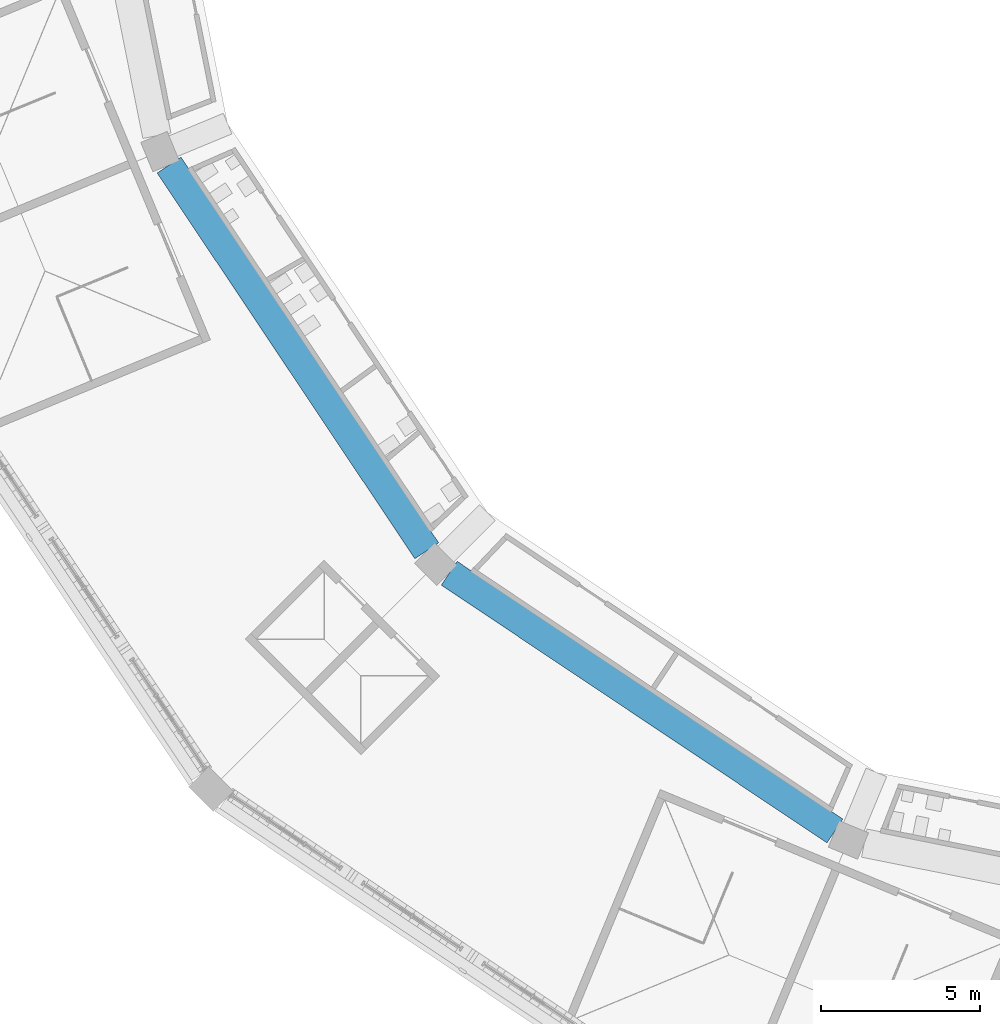
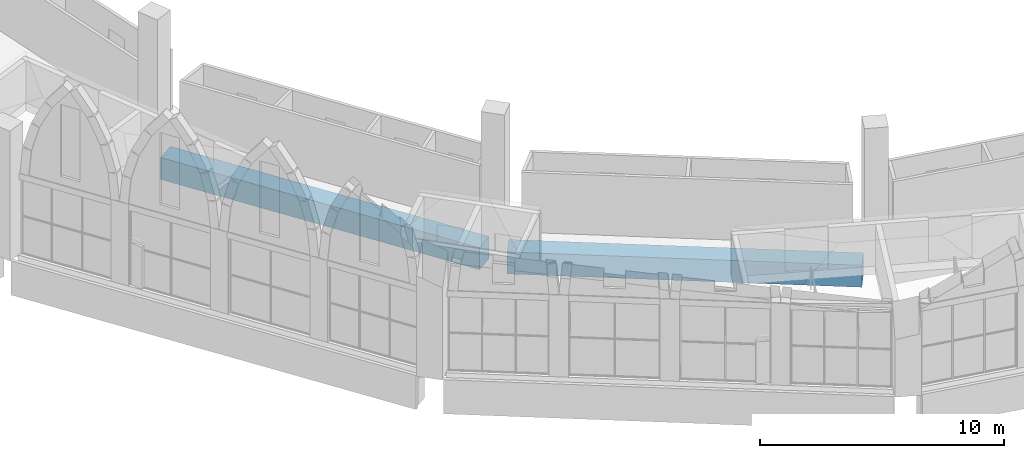
# One storey, part 4 of 130: 2 beams.
"""IFC4 building model written with IfcOpenShell, lengths in metres."""

from ifc_helpers import new_model, si_unit, direction, frame, origin, origin_2d, place, context, subcontext, project, spatial, rectangle, extrude, material, material_profile, profile_set, type_object, element, save


model = new_model("IFC4")

# Units and contexts
model_context = context("Model", 3, precision=1e-05, world=origin(), true_north=direction((0.0, 1.0)))
body_context = subcontext(model_context, "Body", "Model", "MODEL_VIEW")
ifc_project = project(units=[si_unit("LENGTHUNIT", "METRE"), si_unit("AREAUNIT", "SQUARE_METRE"), si_unit("VOLUMEUNIT", "CUBIC_METRE"), si_unit("PLANEANGLEUNIT", "RADIAN"), si_unit("MASSUNIT", "GRAM", prefix="KILO")], contexts=[model_context])

# Site, building, storey
site_placement = place(None, origin())
site = spatial("IfcSite", under=ifc_project, at=site_placement, CompositionType="ELEMENT")
building_placement = place(site_placement, origin())
building = spatial("IfcBuilding", under=site, at=building_placement, Name="Ogive Plaza Stadium", CompositionType="ELEMENT")
storey_placement = place(building_placement, frame((0.0, 0.0, 22.5)))
storey = spatial("IfcBuildingStorey", under=building, at=storey_placement, Name="L05", CompositionType="ELEMENT", Elevation=22.5)

# Beams
ifc_material = material(Name="Concrete C40/50", Category="concrete")
ifc_material_profile = material_profile(ifc_material, rectangle(XDim=0.89990234375, YDim=1.10009765625, at=origin_2d()), Name="RC 900x1100")
ifc_profile_set = profile_set([ifc_material_profile], Name="Concrete C40/50")
beam_type = type_object("IfcBeamType", Name="RC ring beam 900x1100", PredefinedType="BEAM", material=ifc_profile_set)
for number, where, z_axis, x_axis, name in (
    (1, (-49.731201171875, -89.171875, -0.9599609375), (-0.831467933961, 0.555572744827, 0.0), (-0.555572744827, -0.831467933961, 0.0), "Ring beam F4 L05 B18"),
    (2, (-62.5673828125, -80.3603515625, -0.9599609375), (-0.555572744827, 0.831467933961, 0.0), (-0.831467933961, -0.555572744827, 0.0), "Ring beam F4 L05 B19"),
):
    element("IfcBeam", number, at=place(storey_placement, frame(where, z_axis=z_axis, x_axis=x_axis)), inside=storey, type_object=beam_type, Name=name, PredefinedType="BEAM", context=body_context, shape_type="SweptSolid", body=[
        extrude(rectangle(XDim=0.89990234375, YDim=1.10009765625, at=origin_2d()), origin(), (0.0, 0.0, 1.0), 14.587646484375),
    ])

save(model, "model.ifc")
